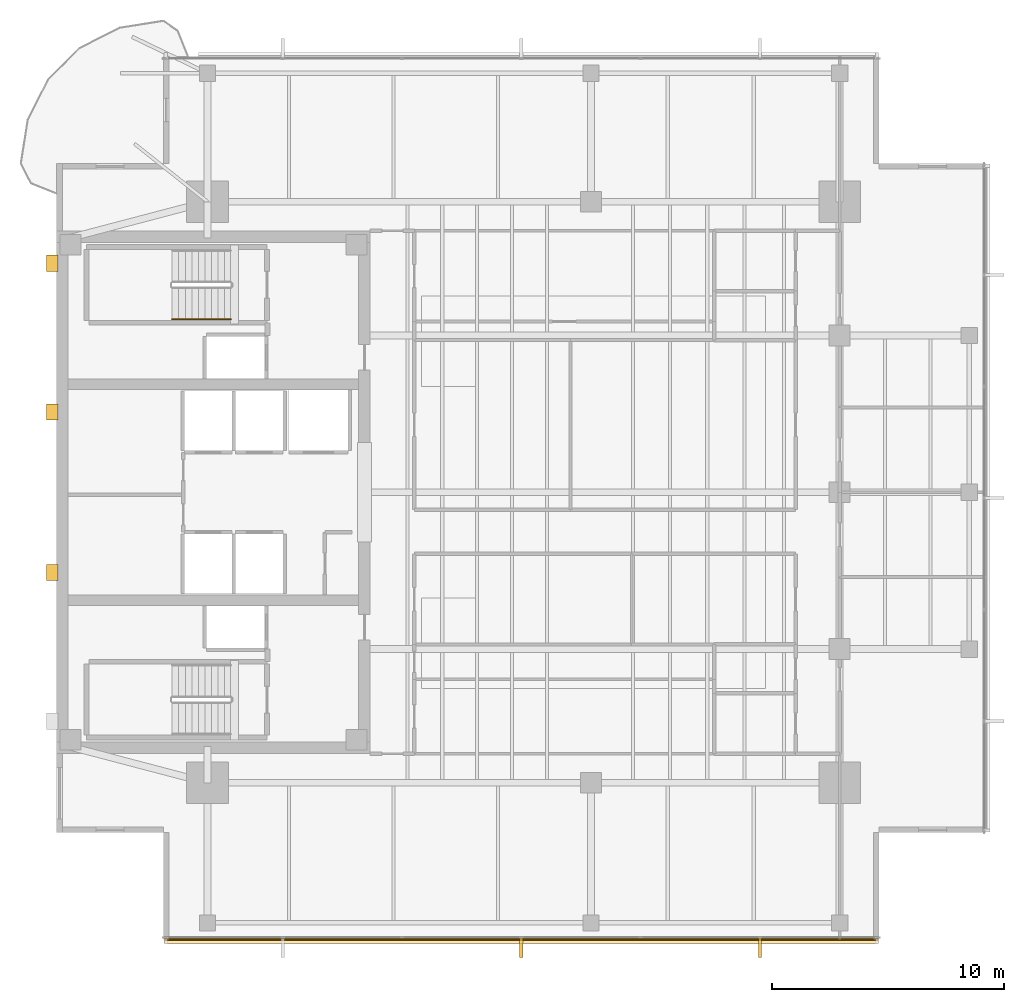
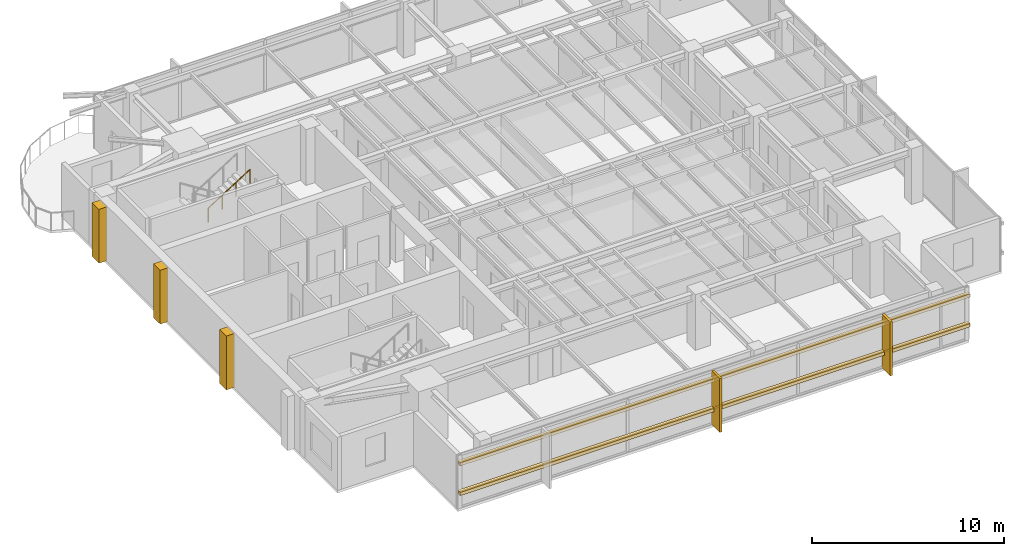
# One storey, part 12 of 14: 7 coverings, 2 shading devices, 1 railing.
"""IFC4 building model written with IfcOpenShell, lengths in metres."""

import ifcopenshell
import ifcopenshell.guid

model = None  # the IFC model being written
_history = None  # IfcOwnerHistory: only IFC2X3 demands one
_inside = {}  # id of a spatial element -> (the spatial element, [elements in it])
_under = {}  # id of a project, library or spatial element -> (it, [spatial elements below it])
_declared = {}  # id of a project -> (the project, [libraries it declares])
_typed = {}  # id of a type object -> (the type object, [elements of that type])
_made_of = {}  # id of a material, layer set ... -> (it, [elements and type objects made of it])


def new_model(schema):
    """Start an empty IFC model of exactly this schema.

    Asked for "IFC4X3", IfcOpenShell would pick the latest addendum, in which some entities
    have other attributes; the version numbers below select the first issue.
    IFC2X3 requires an IfcOwnerHistory on every rooted entity: one is made here for all.
    """
    global model, _history
    if schema == "IFC4X3":
        model = ifcopenshell.file(schema_version=(4, 3, 0, 0))
    else:
        model = ifcopenshell.file(schema=schema)
    _inside.clear()
    _under.clear()
    _declared.clear()
    _typed.clear()
    _made_of.clear()
    _history = None
    if model.schema == "IFC2X3":
        org = make("IfcOrganization", Name="unknown")
        user = make(
            "IfcPersonAndOrganization",
            ThePerson=make("IfcPerson", FamilyName="unknown"),
            TheOrganization=org,
        )
        app = make(
            "IfcApplication",
            ApplicationDeveloper=org,
            Version="unknown",
            ApplicationFullName="unknown",
            ApplicationIdentifier="unknown",
        )
        _history = make(
            "IfcOwnerHistory",
            OwningUser=user,
            OwningApplication=app,
            ChangeAction="ADDED",
            CreationDate=0,
        )
    return model


def make(cls, **values):
    """One entity of the class cls with the attributes given. An attribute that is None is left unset."""
    return model.create_entity(
        cls, **{name: value for name, value in values.items() if value is not None}
    )


def rooted(cls, **values):
    """An entity with a GlobalId (a new one), such as an element, a storey or a relation."""
    return make(cls, GlobalId=ifcopenshell.guid.new(), OwnerHistory=_history, **values)


def si_unit(unit_type, name, prefix=None):
    """IfcSIUnit, for example si_unit("LENGTHUNIT", "METRE", prefix="MILLI")."""
    return make("IfcSIUnit", UnitType=unit_type, Prefix=prefix, Name=name)


def assignment(units):
    """IfcUnitAssignment: the units of a project."""
    return None if units is None else make("IfcUnitAssignment", Units=units)


def point(xyz):
    """IfcCartesianPoint."""
    return None if xyz is None else make("IfcCartesianPoint", Coordinates=xyz)


def direction(xyz):
    """IfcDirection."""
    return None if xyz is None else make("IfcDirection", DirectionRatios=xyz)


def frame(location, z_axis=None, x_axis=None):
    """IfcAxis2Placement3D, a coordinate frame: its origin and axes. An axis left out is left unset."""
    return make(
        "IfcAxis2Placement3D",
        Location=point(location),
        Axis=direction(z_axis),
        RefDirection=direction(x_axis),
    )


def frame_2d(location, x_axis=None):
    """IfcAxis2Placement2D, a coordinate frame in the plane: its origin and x axis."""
    return make(
        "IfcAxis2Placement2D", Location=point(location), RefDirection=direction(x_axis)
    )


def origin():
    """The frame at (0, 0, 0) with its axes left unset."""
    return frame((0.0, 0.0, 0.0))


def origin_2d():
    """The frame at (0, 0) in the plane with its x axis left unset."""
    return frame_2d((0.0, 0.0))


def place(relative_to, where):
    """IfcLocalPlacement: puts the frame where relative to a parent placement (None: the world)."""
    return make(
        "IfcLocalPlacement", PlacementRelTo=relative_to, RelativePlacement=where
    )


def context(
    kind, dimensions, precision=None, world=None, true_north=None, identifier=None
):
    """IfcGeometricRepresentationContext, for example the 3D "Model" context."""
    return make(
        "IfcGeometricRepresentationContext",
        ContextIdentifier=identifier,
        ContextType=kind,
        CoordinateSpaceDimension=dimensions,
        Precision=precision,
        WorldCoordinateSystem=world,
        TrueNorth=true_north,
    )


def subcontext(parent, identifier, kind, view, scale=None):
    """IfcGeometricRepresentationSubContext, for example "Body" below "Model"."""
    return make(
        "IfcGeometricRepresentationSubContext",
        ContextIdentifier=identifier,
        ContextType=kind,
        ParentContext=parent,
        TargetScale=scale,
        TargetView=view,
    )


def project(units=None, contexts=None):
    """IfcProject with its units and contexts."""
    return rooted(
        "IfcProject",
        Name="project",
        RepresentationContexts=contexts,
        UnitsInContext=assignment(units),
    )


def spatial(cls, under=None, at=None, **own):
    """A site, building, storey or space (cls), placed at a placement, below another one or the project."""
    s = rooted(cls, ObjectPlacement=at, **own)
    if under is not None:
        _under.setdefault(under.id(), (under, []))[1].append(s)
    return s


def polyline(points):
    """IfcPolyline through the points."""
    return make("IfcPolyline", Points=[point(p) for p in points])


def profile(cls, at=None, kind="AREA", **sizes):
    """A parametric profile (cls). Its sizes go by their IFC names, for example OverallWidth=200.0."""
    return make(cls, ProfileType=kind, Position=at, **sizes)


def rectangle(**sizes):
    """IfcRectangleProfileDef."""
    return profile("IfcRectangleProfileDef", **sizes)


def circle(**sizes):
    """IfcCircleProfileDef."""
    return profile("IfcCircleProfileDef", **sizes)


def outline(outer, holes=None, kind="AREA"):
    """IfcArbitraryClosedProfileDef: a profile drawn as a closed curve; with holes, ...WithVoids."""
    if holes is None:
        return make("IfcArbitraryClosedProfileDef", ProfileType=kind, OuterCurve=outer)
    return make(
        "IfcArbitraryProfileDefWithVoids",
        ProfileType=kind,
        OuterCurve=outer,
        InnerCurves=holes,
    )


def extrude(swept, where, along, depth):
    """IfcExtrudedAreaSolid: the profile swept, set in the frame where, extruded along a direction by depth."""
    return make(
        "IfcExtrudedAreaSolid",
        SweptArea=swept,
        Position=where,
        ExtrudedDirection=direction(along),
        Depth=depth,
    )


def shape(context_of_items, identifier, shape_type, items):
    """IfcShapeRepresentation: the items that make up one representation, for example the "Body"."""
    return make(
        "IfcShapeRepresentation",
        ContextOfItems=context_of_items,
        RepresentationIdentifier=identifier,
        RepresentationType=shape_type,
        Items=items,
    )


def material(Name=None, Category=None):
    """IfcMaterial."""
    return make("IfcMaterial", Name=Name, Category=Category)


def layer(
    of_material, thickness, ventilated=None, Name=None, Category=None, Priority=None
):
    """IfcMaterialLayer: one layer of a wall or slab, of a material (None: an air gap)."""
    return make(
        "IfcMaterialLayer",
        Material=of_material,
        LayerThickness=thickness,
        IsVentilated=ventilated,
        Name=Name,
        Category=Category,
        Priority=Priority,
    )


def layer_set(layers, Name=None):
    """IfcMaterialLayerSet."""
    return make("IfcMaterialLayerSet", MaterialLayers=layers, LayerSetName=Name)


def material_profile(
    of_material, cross_section, Name=None, Category=None, Priority=None
):
    """IfcMaterialProfile: a cross section and its material."""
    return make(
        "IfcMaterialProfile",
        Name=Name,
        Material=of_material,
        Profile=cross_section,
        Priority=Priority,
        Category=Category,
    )


def profile_set(profiles, Name=None, composite=None):
    """IfcMaterialProfileSet."""
    return make(
        "IfcMaterialProfileSet",
        Name=Name,
        MaterialProfiles=profiles,
        CompositeProfile=composite,
    )


def made_of(thing, what):
    """Note that an element or type object is made of a material, layer set ...; save() writes the relation."""
    if what is not None:
        _made_of.setdefault(what.id(), (what, []))[1].append(thing)
    return thing


def type_object(cls, material=None, **own):
    """A type object (cls), such as IfcWallType, which elements share."""
    return made_of(rooted(cls, **own), material)


def element(
    cls,
    number,
    at=None,
    inside=None,
    cuts=None,
    type_object=None,
    material=None,
    context=None,
    identifier="Body",
    shape_type=None,
    held_by="IfcProductDefinitionShape",
    body=None,
    shapes=None,
    **own,
):
    """One element of the class cls, such as IfcWall. Its Tag is "e" and its number.

    at: its placement. inside: the storey or other place that contains it. cuts: it is an
    opening in that element (IfcRelVoidsElement). A single representation is given by context,
    identifier, shape_type and body (its items); several are given by shapes. held_by: the class
    of the entity that holds the representations. save() writes the other relations.
    """
    e = rooted(cls, Tag="e%d" % number, ObjectPlacement=at, **own)
    if body is not None:
        shapes = [shape(context, identifier, shape_type, body)]
    if shapes is not None:
        e.Representation = make(held_by, Representations=shapes)
    if inside is not None:
        _inside.setdefault(inside.id(), (inside, []))[1].append(e)
    if cuts is not None:
        rooted(
            "IfcRelVoidsElement", RelatingBuildingElement=cuts, RelatedOpeningElement=e
        )
    if type_object is not None:
        _typed.setdefault(type_object.id(), (type_object, []))[1].append(e)
    return made_of(e, material)


def aggregate(whole, parts):
    """IfcRelAggregates: a whole, such as a stair, and the parts it consists of."""
    return rooted("IfcRelAggregates", RelatingObject=whole, RelatedObjects=parts)


def save(model, path):
    """Write the relations noted so far, then the file.

    IfcRelAggregates (storeys below a building ...), IfcRelContainedInSpatialStructure (elements
    in a storey), IfcRelDefinesByType, IfcRelAssociatesMaterial and IfcRelDeclares: one each for
    every whole, place, type object, material and project.
    """
    for whole, parts in _under.values():
        aggregate(whole, parts)
    for where, things in _inside.values():
        rooted(
            "IfcRelContainedInSpatialStructure",
            RelatedElements=things,
            RelatingStructure=where,
        )
    for kind, things in _typed.values():
        rooted("IfcRelDefinesByType", RelatedObjects=things, RelatingType=kind)
    for what, things in _made_of.values():
        rooted("IfcRelAssociatesMaterial", RelatedObjects=things, RelatingMaterial=what)
    for by, libraries in _declared.values():
        rooted("IfcRelDeclares", RelatingContext=by, RelatedDefinitions=libraries)
    model.write(path)


model = new_model("IFC4")

# Units and contexts
model_context = context("Model", 3, precision=1e-05, world=origin(), true_north=direction((0.0, 1.0)))
body_context = subcontext(model_context, "Body", "Model", "MODEL_VIEW")
ifc_project = project(units=[si_unit("LENGTHUNIT", "METRE"), si_unit("AREAUNIT", "SQUARE_METRE"), si_unit("VOLUMEUNIT", "CUBIC_METRE"), si_unit("PLANEANGLEUNIT", "RADIAN"), si_unit("MASSUNIT", "GRAM", prefix="KILO")], contexts=[model_context])

# Site, building, storey
site_placement = place(None, origin())
site = spatial("IfcSite", under=ifc_project, at=site_placement, CompositionType="ELEMENT")
building_placement = place(site_placement, origin())
building = spatial("IfcBuilding", under=site, at=building_placement, Name="Kinhvarn Gate Tower", CompositionType="ELEMENT")
storey_placement = place(building_placement, frame((0.0, 0.0, 252.800048828125)))
storey = spatial("IfcBuildingStorey", under=building, at=storey_placement, Name="L67", CompositionType="ELEMENT", Elevation=252.800048828125)

# Coverings
ifc_material_1 = material(Name="Fired architectural terracotta", Category="masonry")
ifc_layer_1 = layer(ifc_material_1, 0.239990234375)
ifc_layer_set_1 = layer_set([ifc_layer_1], Name="Fired architectural terracotta")
covering_type_1 = type_object("IfcCoveringType", Name="COV-BAG-220", PredefinedType="CLADDING", material=ifc_layer_set_1)
covering_1_placement = place(storey_placement, frame((0.0, 0.0, 0.93994140625)))
element("IfcCovering", 1, at=covering_1_placement, inside=storey, type_object=covering_type_1, Name="Terracotta Horizontal Sunscreen Band TBG-220 (L67)", PredefinedType="CLADDING", context=body_context, shape_type="SweptSolid", body=[
    extrude(outline(polyline([(9.139892578125, 6.070068359375), (39.860107421875, 6.070068359375), (39.860107421875, 5.830078125), (9.139892578125, 5.830078125), (9.139892578125, 6.070068359375)])), origin(), (0.0, 0.0, 1.0), 0.219970703125),
])
covering_2_placement = place(storey_placement, frame((0.0, 0.0, 2.829833984375)))
element("IfcCovering", 2, at=covering_2_placement, inside=storey, type_object=covering_type_1, Name="Terracotta Horizontal Sunscreen Band TBG-220 (L67)", PredefinedType="CLADDING", context=body_context, shape_type="SweptSolid", body=[
    extrude(outline(polyline([(9.139892578125, 6.070068359375), (39.860107421875, 6.070068359375), (39.860107421875, 5.830078125), (9.139892578125, 5.830078125), (9.139892578125, 6.070068359375)])), origin(), (0.0, 0.0, 1.0), 0.22021484375),
])
ifc_layer_2 = layer(ifc_material_1, 0.139892578125)
ifc_layer_set_2 = layer_set([ifc_layer_2], Name="Fired architectural terracotta")
covering_type_2 = type_object("IfcCoveringType", Name="COV-FIN-850", PredefinedType="CLADDING", material=ifc_layer_set_2)
covering_3_placement = place(storey_placement, frame((0.0, 0.0, -0.02001953125)))
element("IfcCovering", 3, at=covering_3_placement, inside=storey, type_object=covering_type_2, Name="Vertical Terracotta Expressive Fin TFN-850 (L67)", PredefinedType="CLADDING", context=body_context, shape_type="SweptSolid", body=[
    extrude(outline(polyline([(24.429931640625, 6.080078125), (24.570068359375, 6.080078125), (24.570068359375, 5.22998046875), (24.429931640625, 5.22998046875), (24.429931640625, 6.080078125)])), origin(), (0.0, 0.0, 1.0), 3.429931640625),
])
covering_4_placement = place(storey_placement, frame((0.0, 0.0, -0.02001953125)))
element("IfcCovering", 4, at=covering_4_placement, inside=storey, type_object=covering_type_2, Name="Vertical Terracotta Expressive Fin TFN-850 (L67)", PredefinedType="CLADDING", context=body_context, shape_type="SweptSolid", body=[
    extrude(outline(polyline([(34.69677734375, 6.080078125), (34.836669921875, 6.080078125), (34.836669921875, 5.22998046875), (34.69677734375, 5.22998046875), (34.69677734375, 6.080078125)])), origin(), (0.0, 0.0, 1.0), 3.429931640625),
])
ifc_material_2 = material(Name="Precast white architectural concrete C40/50", Category="concrete")
ifc_layer_3 = layer(ifc_material_2, 0.47998046875)
ifc_layer_set_3 = layer_set([ifc_layer_3], Name="Precast white architectural concrete C40/50")
covering_type_3 = type_object("IfcCoveringType", Name="COV-RIB-450", PredefinedType="CLADDING", material=ifc_layer_set_3)
covering_5_placement = place(storey_placement, frame((0.0, 0.0, -0.02001953125)))
element("IfcCovering", 5, at=covering_5_placement, inside=storey, type_object=covering_type_3, Name="West Core Sculptural Concrete Relief Rib CRB-450 (L67)", PredefinedType="CLADDING", context=body_context, shape_type="SweptSolid", body=[
    extrude(outline(polyline([(4.080078125, 21.449951171875), (4.56005859375, 21.449951171875), (4.56005859375, 22.14990234375), (4.080078125, 22.14990234375), (4.080078125, 21.449951171875)])), origin(), (0.0, 0.0, 1.0), 3.429931640625),
])
covering_6_placement = place(storey_placement, frame((0.0, 0.0, -0.02001953125)))
element("IfcCovering", 6, at=covering_6_placement, inside=storey, type_object=covering_type_3, Name="West Core Sculptural Concrete Relief Rib CRB-450 (L67)", PredefinedType="CLADDING", context=body_context, shape_type="SweptSolid", body=[
    extrude(outline(polyline([(4.080078125, 28.35009765625), (4.56005859375, 28.35009765625), (4.56005859375, 29.050048828125), (4.080078125, 29.050048828125), (4.080078125, 28.35009765625)])), origin(), (0.0, 0.0, 1.0), 3.429931640625),
])
covering_7_placement = place(storey_placement, frame((0.0, 0.0, -0.02001953125)))
element("IfcCovering", 7, at=covering_7_placement, inside=storey, type_object=covering_type_3, Name="West Core Sculptural Concrete Relief Rib CRB-450 (L67)", PredefinedType="CLADDING", context=body_context, shape_type="SweptSolid", body=[
    extrude(outline(polyline([(4.080078125, 34.75), (4.56005859375, 34.75), (4.56005859375, 35.449951171875), (4.080078125, 35.449951171875), (4.080078125, 34.75)])), origin(), (0.0, 0.0, 1.0), 3.429931640625),
])

# Railing
ifc_material_3 = material(Name="Steel S355", Category="steel")
railing_type = type_object("IfcRailingType", Name="RL-ST-HND", PredefinedType="HANDRAIL", material=ifc_material_3)
railing_placement = place(storey_placement, frame((9.47998046875, 32.699951171875, 1.952392578125)))
element("IfcRailing", 8, at=railing_placement, inside=storey, type_object=railing_type, Name="L67 ST2 stair handrail 2", PredefinedType="HANDRAIL", context=body_context, shape_type="SweptSolid", body=[
    extrude(circle(Radius=0.02392578125, at=origin_2d()), frame((0.0, 0.0, 0.8759765625), z_axis=(0.84456994832, 0.0, 0.535445237532), x_axis=(0.0, 1.0, 0.0)), (0.0, 0.0, 1.0), 2.98388671875),
    extrude(circle(Radius=0.02099609375, at=origin_2d()), origin(), (0.0, 0.0, 1.0), 0.851806640625),
    extrude(circle(Radius=0.02099609375, at=origin_2d()), frame((0.840087890625, 0.0, 0.532470703125)), (0.0, 0.0, 1.0), 0.851806640625),
    extrude(circle(Radius=0.02099609375, at=origin_2d()), frame((1.679931640625, 0.0, 1.065185546875)), (0.0, 0.0, 1.0), 0.851806640625),
    extrude(circle(Radius=0.02099609375, at=origin_2d()), frame((2.52001953125, 0.0, 1.59765625)), (0.0, 0.0, 1.0), 0.851806640625),
])

# Shading devices
ifc_material_profile = material_profile(ifc_material_1, rectangle(XDim=0.050048828125, YDim=0.1201171875, at=origin_2d()), Name="TC 50x120")
ifc_profile_set = profile_set([ifc_material_profile], Name="Fired architectural terracotta")
shading_device_type = type_object("IfcShadingDeviceType", Name="SHD-BAG-140", PredefinedType="USERDEFINED", material=ifc_profile_set)
for number, where, z_axis, x_axis, name in (
    (9, (9.139892578125, 6.0, 1.050048828125), (1.0, 0.0, 0.0), (0.0, 1.0, 0.0), "Upper Tower Terracotta Baguette Screen Rod 50x120 mm (L67)"),
    (10, (9.139892578125, 6.0, 2.93994140625), (1.0, 0.0, 0.0), (0.0, 1.0, 0.0), "Upper Tower Terracotta Baguette Screen Rod 50x120 mm (L67)"),
):
    element("IfcShadingDevice", number, at=place(storey_placement, frame(where, z_axis=z_axis, x_axis=x_axis)), inside=storey, type_object=shading_device_type, Name=name, ObjectType="BAGUETTE", PredefinedType="USERDEFINED", context=body_context, shape_type="SweptSolid", body=[
        extrude(rectangle(XDim=0.050048828125, YDim=0.1201171875, at=origin_2d()), origin(), (0.0, 0.0, 1.0), 30.72021484375),
    ])

save(model, "model.ifc")
